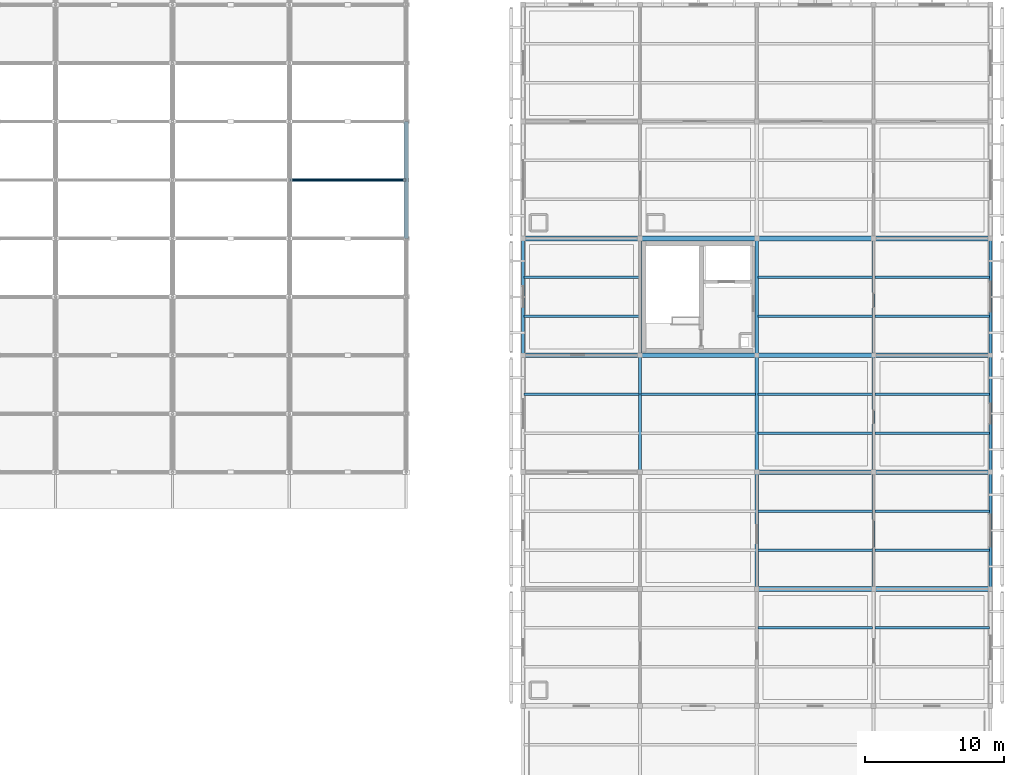
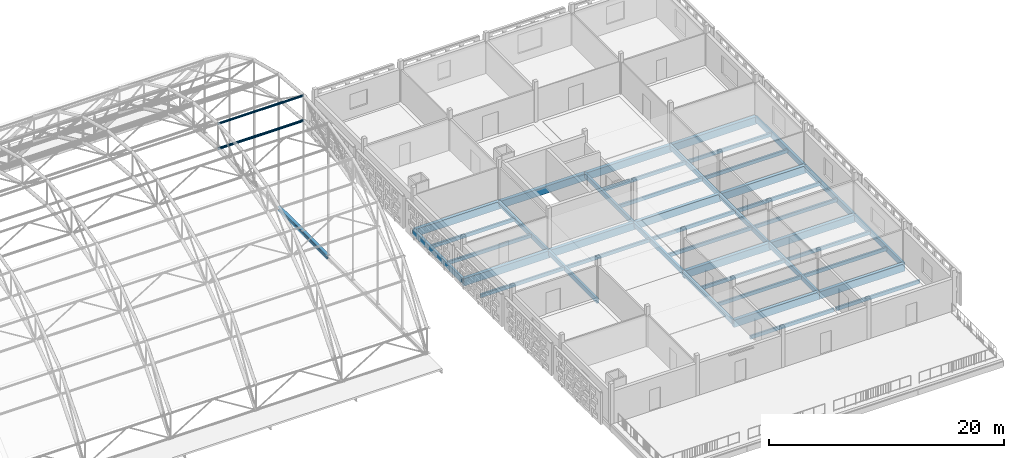
# One storey, part 58 of 103: 43 beams, 2 members.
"""IFC4 building model written with IfcOpenShell, lengths in metres."""

from ifc_helpers import new_model, si_unit, direction, frame, origin, origin_2d, place, context, subcontext, project, spatial, rectangle, hollow_circle, i_section, extrude, material, material_profile, profile_set, type_object, element, save


model = new_model("IFC4")

# Units and contexts
model_context = context("Model", 3, precision=1e-05, world=origin(), true_north=direction((0.0, 1.0)))
body_context = subcontext(model_context, "Body", "Model", "MODEL_VIEW")
ifc_project = project(units=[si_unit("LENGTHUNIT", "METRE"), si_unit("AREAUNIT", "SQUARE_METRE"), si_unit("VOLUMEUNIT", "CUBIC_METRE"), si_unit("PLANEANGLEUNIT", "RADIAN"), si_unit("MASSUNIT", "GRAM", prefix="KILO")], contexts=[model_context])

# Site, building, storey
site_placement = place(None, origin())
site = spatial("IfcSite", under=ifc_project, at=site_placement, CompositionType="ELEMENT")
building_placement = place(site_placement, origin())
building = spatial("IfcBuilding", under=site, at=building_placement, Name="Varnapada Polytechnic", CompositionType="ELEMENT")
storey_placement = place(building_placement, frame((0.0, 0.0, 18.0)))
storey = spatial("IfcBuildingStorey", under=building, at=storey_placement, Name="L04", CompositionType="ELEMENT", Elevation=18.0)

# Beams
ifc_material_1 = material(Name="Glulam GL32h", Category="wood")
ifc_material_profile_1 = material_profile(ifc_material_1, rectangle(XDim=0.340087890625, YDim=0.760009765625, at=origin_2d()), Name="GL 340x760")
ifc_profile_set_1 = profile_set([ifc_material_profile_1], Name="Glulam GL32h")
beam_type_1 = type_object("IfcBeamType", Name="Archive stack glulam girder GG-07 (GL 340x760)", PredefinedType="BEAM", material=ifc_profile_set_1)
for number, where, z_axis, x_axis, name in (
    (1, (142.800048828125, 92.39990234375, -0.60009765625), (1.0, 0.0, 0.0), (0.0, 1.0, 0.0), "L04 beam X 18-19 at Y12"),
    (2, (142.800048828125, 100.800048828125, -0.60009765625), (1.0, 0.0, 0.0), (0.0, 1.0, 0.0), "L04 beam X 18-19 at Y13"),
):
    element("IfcBeam", number, at=place(storey_placement, frame(where, z_axis=z_axis, x_axis=x_axis)), inside=storey, type_object=beam_type_1, Name=name, PredefinedType="BEAM", context=body_context, shape_type="SweptSolid", body=[
        extrude(rectangle(XDim=0.340087890625, YDim=0.760009765625, at=origin_2d()), origin(), (0.0, 0.0, 1.0), 8.39990234375),
    ])
for number, where, z_axis, x_axis, name in (
    (3, (151.199951171875, 92.39990234375, -0.60009765625), (1.0, 0.0, 0.0), (0.0, 1.0, 0.0), "L04 beam X 19-20 at Y12"),
    (4, (151.199951171875, 100.800048828125, -0.60009765625), (1.0, 0.0, 0.0), (0.0, 1.0, 0.0), "L04 beam X 19-20 at Y13"),
):
    element("IfcBeam", number, at=place(storey_placement, frame(where, z_axis=z_axis, x_axis=x_axis)), inside=storey, type_object=beam_type_1, Name=name, PredefinedType="BEAM", context=body_context, shape_type="SweptSolid", body=[
        extrude(rectangle(XDim=0.340087890625, YDim=0.760009765625, at=origin_2d()), origin(), (0.0, 0.0, 1.0), 8.400146484375),
    ])
for number, where, z_axis, x_axis, name in (
    (5, (159.60009765625, 75.60009765625, -0.60009765625), (1.0, 0.0, 0.0), (0.0, 1.0, 0.0), "L04 beam X 20-21 at Y10"),
    (6, (159.60009765625, 84.0, -0.60009765625), (1.0, 0.0, 0.0), (0.0, 1.0, 0.0), "L04 beam X 20-21 at Y11"),
    (7, (159.60009765625, 92.39990234375, -0.60009765625), (1.0, 0.0, 0.0), (0.0, 1.0, 0.0), "L04 beam X 20-21 at Y12"),
    (8, (159.60009765625, 100.800048828125, -0.60009765625), (1.0, 0.0, 0.0), (0.0, 1.0, 0.0), "L04 beam X 20-21 at Y13"),
    (9, (168.0, 75.60009765625, -0.60009765625), (1.0, 0.0, 0.0), (0.0, 1.0, 0.0), "L04 beam X 21-22 at Y10"),
    (10, (168.0, 84.0, -0.60009765625), (1.0, 0.0, 0.0), (0.0, 1.0, 0.0), "L04 beam X 21-22 at Y11"),
    (11, (168.0, 92.39990234375, -0.60009765625), (1.0, 0.0, 0.0), (0.0, 1.0, 0.0), "L04 beam X 21-22 at Y12"),
    (12, (168.0, 100.800048828125, -0.60009765625), (1.0, 0.0, 0.0), (0.0, 1.0, 0.0), "L04 beam X 21-22 at Y13"),
):
    element("IfcBeam", number, at=place(storey_placement, frame(where, z_axis=z_axis, x_axis=x_axis)), inside=storey, type_object=beam_type_1, Name=name, PredefinedType="BEAM", context=body_context, shape_type="SweptSolid", body=[
        extrude(rectangle(XDim=0.340087890625, YDim=0.760009765625, at=origin_2d()), origin(), (0.0, 0.0, 1.0), 8.39990234375),
    ])
ifc_material_profile_2 = material_profile(ifc_material_1, rectangle(XDim=0.239990234375, YDim=0.56005859375, at=origin_2d()), Name="GL 240x560")
ifc_profile_set_2 = profile_set([ifc_material_profile_2], Name="Glulam GL32h")
beam_type_2 = type_object("IfcBeamType", Name="Perimeter glulam spandrel beam SP-02 (GL 240x560)", PredefinedType="SPANDREL", material=ifc_profile_set_2)
beam_1_placement = place(storey_placement, frame((142.800048828125, 92.39990234375, -0.5), z_axis=(0.0, 1.0, 0.0), x_axis=(-1.0, 0.0, 0.0)))
element("IfcBeam", 13, at=beam_1_placement, inside=storey, type_object=beam_type_2, Name="L04 beam Y 12-13 at X18", PredefinedType="SPANDREL", context=body_context, shape_type="SweptSolid", body=[
    extrude(rectangle(XDim=0.239990234375, YDim=0.56005859375, at=origin_2d()), origin(), (0.0, 0.0, 1.0), 8.400146484375),
])
for number, where, z_axis, x_axis, name in (
    (14, (176.39990234375, 75.60009765625, -0.5), (0.0, 1.0, 0.0), (-1.0, 0.0, 0.0), "L04 beam Y 10-11 at X22"),
    (15, (176.39990234375, 84.0, -0.5), (0.0, 1.0, 0.0), (-1.0, 0.0, 0.0), "L04 beam Y 11-12 at X22"),
):
    element("IfcBeam", number, at=place(storey_placement, frame(where, z_axis=z_axis, x_axis=x_axis)), inside=storey, type_object=beam_type_2, Name=name, PredefinedType="SPANDREL", context=body_context, shape_type="SweptSolid", body=[
        extrude(rectangle(XDim=0.239990234375, YDim=0.56005859375, at=origin_2d()), origin(), (0.0, 0.0, 1.0), 8.39990234375),
    ])
beam_2_placement = place(storey_placement, frame((176.39990234375, 92.39990234375, -0.5), z_axis=(0.0, 1.0, 0.0), x_axis=(-1.0, 0.0, 0.0)))
element("IfcBeam", 16, at=beam_2_placement, inside=storey, type_object=beam_type_2, Name="L04 beam Y 12-13 at X22", PredefinedType="SPANDREL", context=body_context, shape_type="SweptSolid", body=[
    extrude(rectangle(XDim=0.239990234375, YDim=0.56005859375, at=origin_2d()), origin(), (0.0, 0.0, 1.0), 8.400146484375),
])
ifc_material_2 = material(Name="Steel S355", Category="steel")
ifc_material_profile_3 = material_profile(ifc_material_2, i_section(OverallWidth=0.300048828125, OverallDepth=0.389892578125, WebThickness=0.010986328125, FlangeThickness=0.01904296875, FilletRadius=0.027099609375, at=origin_2d()), Name="HEA 400")
ifc_profile_set_3 = profile_set([ifc_material_profile_3], Name="Steel S355")
beam_type_3 = type_object("IfcBeamType", Name="Steel roof primary girder SG-01 (HEA 400)", PredefinedType="BEAM", material=ifc_profile_set_3)
beam_3_placement = place(storey_placement, frame((134.39990234375, 100.800048828125, -0.18994140625), z_axis=(0.0, 1.0, 0.0), x_axis=(-1.0, 0.0, 0.0)))
element("IfcBeam", 17, at=beam_3_placement, inside=storey, type_object=beam_type_3, Name="L04 workshop arch tympanum sill girder E.3", PredefinedType="BEAM", context=body_context, shape_type="SweptSolid", body=[
    extrude(i_section(OverallWidth=0.300048828125, OverallDepth=0.389892578125, WebThickness=0.010986328125, FlangeThickness=0.01904296875, FilletRadius=0.027099609375, at=origin_2d()), origin(), (0.0, 0.0, 1.0), 8.39990234375),
])
ifc_material_profile_4 = material_profile(ifc_material_1, rectangle(XDim=0.179931640625, YDim=0.360107421875, at=origin_2d()), Name="GL 180x360")
ifc_profile_set_4 = profile_set([ifc_material_profile_4], Name="Glulam GL32h")
beam_type_4 = type_object("IfcBeamType", Name="Studio/seminar glulam floor joist GJ-02 (GL 180x360)", PredefinedType="JOIST", material=ifc_profile_set_4)
for number, where, z_axis, x_axis, name in (
    (18, (142.8798828125, 89.60009765625, -0.39990234375), (1.0, 0.0, 0.0), (0.0, 1.0, 0.0), "L04 floor joist 18/11.2"),
    (19, (142.8798828125, 95.199951171875, -0.39990234375), (1.0, 0.0, 0.0), (0.0, 1.0, 0.0), "L04 floor joist 18/12.1"),
    (20, (142.8798828125, 98.0, -0.39990234375), (1.0, 0.0, 0.0), (0.0, 1.0, 0.0), "L04 floor joist 18/12.2"),
):
    element("IfcBeam", number, at=place(storey_placement, frame(where, z_axis=z_axis, x_axis=x_axis)), inside=storey, type_object=beam_type_4, Name=name, PredefinedType="JOIST", context=body_context, shape_type="SweptSolid", body=[
        extrude(rectangle(XDim=0.179931640625, YDim=0.360107421875, at=origin_2d()), origin(), (0.0, 0.0, 1.0), 8.240234375),
    ])
for number, where, z_axis, x_axis, name in (
    (21, (151.280029296875, 89.60009765625, -0.39990234375), (1.0, 0.0, 0.0), (0.0, 1.0, 0.0), "L04 floor joist 19/11.2"),
    (22, (159.679931640625, 72.800048828125, -0.39990234375), (1.0, 0.0, 0.0), (0.0, 1.0, 0.0), "L04 floor joist 20/9.2"),
    (23, (159.679931640625, 78.39990234375, -0.39990234375), (1.0, 0.0, 0.0), (0.0, 1.0, 0.0), "L04 floor joist 20/10.1"),
    (24, (159.679931640625, 81.199951171875, -0.39990234375), (1.0, 0.0, 0.0), (0.0, 1.0, 0.0), "L04 floor joist 20/10.2"),
    (25, (159.679931640625, 86.800048828125, -0.39990234375), (1.0, 0.0, 0.0), (0.0, 1.0, 0.0), "L04 floor joist 20/11.1"),
    (26, (159.679931640625, 89.60009765625, -0.39990234375), (1.0, 0.0, 0.0), (0.0, 1.0, 0.0), "L04 floor joist 20/11.2"),
    (27, (159.679931640625, 95.199951171875, -0.39990234375), (1.0, 0.0, 0.0), (0.0, 1.0, 0.0), "L04 floor joist 20/12.1"),
    (28, (159.679931640625, 98.0, -0.39990234375), (1.0, 0.0, 0.0), (0.0, 1.0, 0.0), "L04 floor joist 20/12.2"),
    (29, (168.080078125, 72.800048828125, -0.39990234375), (1.0, 0.0, 0.0), (0.0, 1.0, 0.0), "L04 floor joist 21/9.2"),
    (30, (168.080078125, 78.39990234375, -0.39990234375), (1.0, 0.0, 0.0), (0.0, 1.0, 0.0), "L04 floor joist 21/10.1"),
    (31, (168.080078125, 81.199951171875, -0.39990234375), (1.0, 0.0, 0.0), (0.0, 1.0, 0.0), "L04 floor joist 21/10.2"),
    (32, (168.080078125, 86.800048828125, -0.39990234375), (1.0, 0.0, 0.0), (0.0, 1.0, 0.0), "L04 floor joist 21/11.1"),
    (33, (168.080078125, 89.60009765625, -0.39990234375), (1.0, 0.0, 0.0), (0.0, 1.0, 0.0), "L04 floor joist 21/11.2"),
    (34, (168.080078125, 95.199951171875, -0.39990234375), (1.0, 0.0, 0.0), (0.0, 1.0, 0.0), "L04 floor joist 21/12.1"),
    (35, (168.080078125, 98.0, -0.39990234375), (1.0, 0.0, 0.0), (0.0, 1.0, 0.0), "L04 floor joist 21/12.2"),
):
    element("IfcBeam", number, at=place(storey_placement, frame(where, z_axis=z_axis, x_axis=x_axis)), inside=storey, type_object=beam_type_4, Name=name, PredefinedType="JOIST", context=body_context, shape_type="SweptSolid", body=[
        extrude(rectangle(XDim=0.179931640625, YDim=0.360107421875, at=origin_2d()), origin(), (0.0, 0.0, 1.0), 8.239990234375),
    ])
ifc_material_profile_5 = material_profile(ifc_material_1, rectangle(XDim=0.219970703125, YDim=0.47998046875, at=origin_2d()), Name="GL 220x480")
ifc_profile_set_5 = profile_set([ifc_material_profile_5], Name="Glulam GL32h")
beam_type_5 = type_object("IfcBeamType", Name="Upper floor glulam tie beam GB-11 (GL 220x480)", PredefinedType="BEAM", material=ifc_profile_set_5)
beam_4_placement = place(storey_placement, frame((151.199951171875, 84.0, -0.4599609375), z_axis=(0.0, 1.0, 0.0), x_axis=(-1.0, 0.0, 0.0)))
element("IfcBeam", 36, at=beam_4_placement, inside=storey, type_object=beam_type_5, Name="L04 beam Y 11-12 at X19", PredefinedType="BEAM", context=body_context, shape_type="SweptSolid", body=[
    extrude(rectangle(XDim=0.219970703125, YDim=0.47998046875, at=origin_2d()), origin(), (0.0, 0.0, 1.0), 8.39990234375),
])
beam_5_placement = place(storey_placement, frame((151.199951171875, 92.39990234375, -0.4599609375), z_axis=(0.0, 1.0, 0.0), x_axis=(-1.0, 0.0, 0.0)))
element("IfcBeam", 37, at=beam_5_placement, inside=storey, type_object=beam_type_5, Name="L04 beam Y 12-13 at X19", PredefinedType="BEAM", context=body_context, shape_type="SweptSolid", body=[
    extrude(rectangle(XDim=0.219970703125, YDim=0.47998046875, at=origin_2d()), origin(), (0.0, 0.0, 1.0), 8.400146484375),
])
for number, where, z_axis, x_axis, name in (
    (38, (159.60009765625, 75.60009765625, -0.4599609375), (0.0, 1.0, 0.0), (-1.0, 0.0, 0.0), "L04 beam Y 10-11 at X20"),
    (39, (159.60009765625, 84.0, -0.4599609375), (0.0, 1.0, 0.0), (-1.0, 0.0, 0.0), "L04 beam Y 11-12 at X20"),
):
    element("IfcBeam", number, at=place(storey_placement, frame(where, z_axis=z_axis, x_axis=x_axis)), inside=storey, type_object=beam_type_5, Name=name, PredefinedType="BEAM", context=body_context, shape_type="SweptSolid", body=[
        extrude(rectangle(XDim=0.219970703125, YDim=0.47998046875, at=origin_2d()), origin(), (0.0, 0.0, 1.0), 8.39990234375),
    ])
beam_6_placement = place(storey_placement, frame((159.60009765625, 92.39990234375, -0.4599609375), z_axis=(0.0, 1.0, 0.0), x_axis=(-1.0, 0.0, 0.0)))
element("IfcBeam", 40, at=beam_6_placement, inside=storey, type_object=beam_type_5, Name="L04 beam Y 12-13 at X20", PredefinedType="BEAM", context=body_context, shape_type="SweptSolid", body=[
    extrude(rectangle(XDim=0.219970703125, YDim=0.47998046875, at=origin_2d()), origin(), (0.0, 0.0, 1.0), 8.400146484375),
])
for number, where, z_axis, x_axis, name in (
    (41, (168.0, 75.60009765625, -0.4599609375), (0.0, 1.0, 0.0), (-1.0, 0.0, 0.0), "L04 beam Y 10-11 at X21"),
    (42, (168.0, 84.0, -0.4599609375), (0.0, 1.0, 0.0), (-1.0, 0.0, 0.0), "L04 beam Y 11-12 at X21"),
):
    element("IfcBeam", number, at=place(storey_placement, frame(where, z_axis=z_axis, x_axis=x_axis)), inside=storey, type_object=beam_type_5, Name=name, PredefinedType="BEAM", context=body_context, shape_type="SweptSolid", body=[
        extrude(rectangle(XDim=0.219970703125, YDim=0.47998046875, at=origin_2d()), origin(), (0.0, 0.0, 1.0), 8.39990234375),
    ])
beam_7_placement = place(storey_placement, frame((168.0, 92.39990234375, -0.4599609375), z_axis=(0.0, 1.0, 0.0), x_axis=(-1.0, 0.0, 0.0)))
element("IfcBeam", 43, at=beam_7_placement, inside=storey, type_object=beam_type_5, Name="L04 beam Y 12-13 at X21", PredefinedType="BEAM", context=body_context, shape_type="SweptSolid", body=[
    extrude(rectangle(XDim=0.219970703125, YDim=0.47998046875, at=origin_2d()), origin(), (0.0, 0.0, 1.0), 8.400146484375),
])

# Members
ifc_material_profile_6 = material_profile(ifc_material_2, hollow_circle(Radius=0.122314453125, WallThickness=0.008056640625, at=origin_2d()), Name="CHS 244.5x8.0")
ifc_profile_set_6 = profile_set([ifc_material_profile_6], Name="Steel S355")
member_type_1 = type_object("IfcMemberType", Name="Vaulted space frame longitudinal bottom chord SFC-01 (CHS 244.5x8.0)", PredefinedType="CHORD", material=ifc_profile_set_6)
member_1_placement = place(storey_placement, frame((126.0, 105.0, 11.435302734375), z_axis=(1.0, 0.0, 0.0), x_axis=(0.0, 1.0, 0.0)))
element("IfcMember", 44, at=member_1_placement, inside=storey, type_object=member_type_1, Name="Vaulted space frame longitudinal bottom chord 10.6", PredefinedType="CHORD", context=body_context, shape_type="SweptSolid", body=[
    extrude(hollow_circle(Radius=0.122314453125, WallThickness=0.008056640625, at=origin_2d()), origin(), (0.0, 0.0, 1.0), 8.39990234375),
])
ifc_material_profile_7 = material_profile(ifc_material_2, hollow_circle(Radius=0.109619140625, WallThickness=0.008056640625, at=origin_2d()), Name="CHS 219.1x8.0")
ifc_profile_set_7 = profile_set([ifc_material_profile_7], Name="Steel S355")
member_type_2 = type_object("IfcMemberType", Name="Vaulted space frame longitudinal top chord SFC-02 (CHS 219.1x8.0)", PredefinedType="CHORD", material=ifc_profile_set_7)
member_2_placement = place(storey_placement, frame((126.0, 105.0, 14.035400390625), z_axis=(1.0, 0.0, 0.0), x_axis=(0.0, 1.0, 0.0)))
element("IfcMember", 45, at=member_2_placement, inside=storey, type_object=member_type_2, Name="Vaulted space frame longitudinal top chord 10.6", PredefinedType="CHORD", context=body_context, shape_type="SweptSolid", body=[
    extrude(hollow_circle(Radius=0.109619140625, WallThickness=0.008056640625, at=origin_2d()), origin(), (0.0, 0.0, 1.0), 8.39990234375),
])

save(model, "model.ifc")
